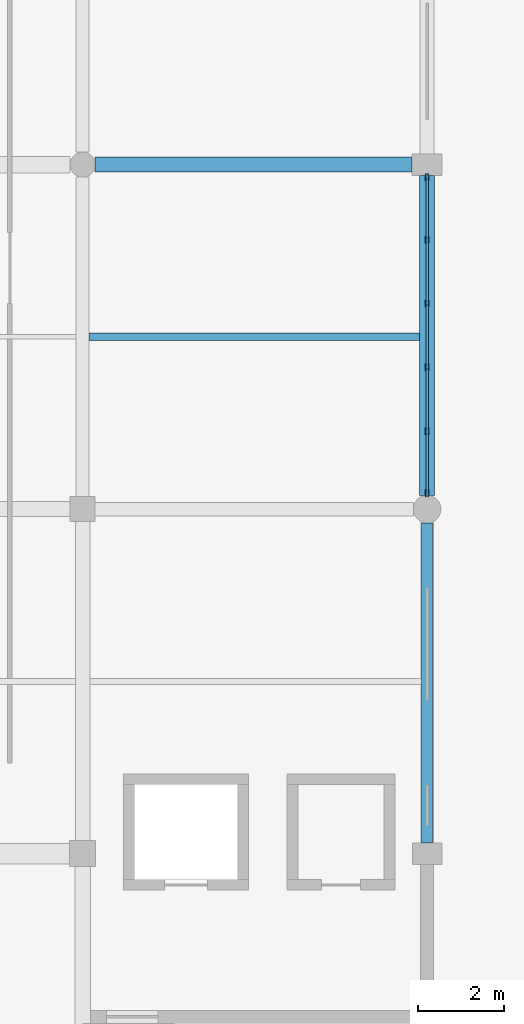
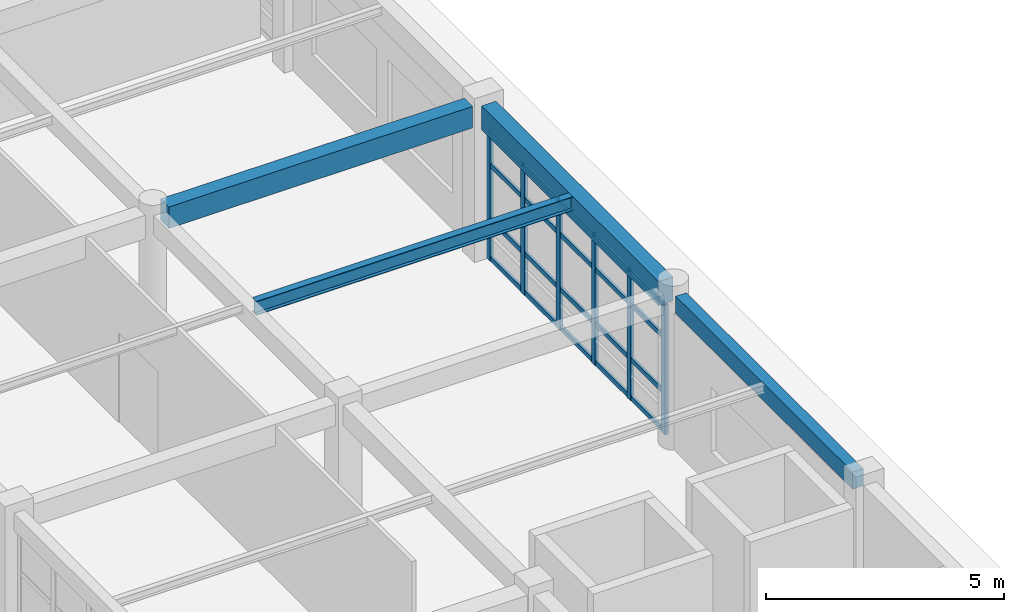
# One storey, part 32 of 121: 26 members, 4 beams, 1 element without a shape of its own.
"""IFC4 building model written with IfcOpenShell, lengths in metres."""

from ifc_helpers import new_model, si_unit, direction, frame, origin, origin_2d, place, context, subcontext, project, spatial, rectangle, hollow_rectangle, i_section, extrude, material, material_profile, profile_set, type_object, element, aggregate, save


model = new_model("IFC4")

# Units and contexts
model_context = context("Model", 3, precision=1e-05, world=origin(), true_north=direction((0.0, 1.0)))
body_context = subcontext(model_context, "Body", "Model", "MODEL_VIEW")
ifc_project = project(units=[si_unit("LENGTHUNIT", "METRE"), si_unit("AREAUNIT", "SQUARE_METRE"), si_unit("VOLUMEUNIT", "CUBIC_METRE"), si_unit("PLANEANGLEUNIT", "RADIAN"), si_unit("MASSUNIT", "GRAM", prefix="KILO")], contexts=[model_context])

# Site, building, storey
site_placement = place(None, origin())
site = spatial("IfcSite", under=ifc_project, at=site_placement, CompositionType="ELEMENT")
building_placement = place(site_placement, origin())
building = spatial("IfcBuilding", under=site, at=building_placement, Name="Kharva Crest Polytechnic", CompositionType="ELEMENT")
storey_placement = place(building_placement, frame((0.0, 0.0, 13.199951171875)))
storey = spatial("IfcBuildingStorey", under=building, at=storey_placement, Name="L03", CompositionType="ELEMENT", Elevation=13.199951171875)

# Beams
ifc_material_1 = material(Name="Concrete C35/45", Category="concrete")
ifc_material_profile_1 = material_profile(ifc_material_1, rectangle(XDim=0.35009765625, YDim=0.550048828125, at=origin_2d()), Name="RECT 350 X 550")
ifc_profile_set_1 = profile_set([ifc_material_profile_1], Name="Concrete C35/45")
beam_type_1 = type_object("IfcBeamType", Name="BM-RC-350X550", PredefinedType="BEAM", material=ifc_profile_set_1)
beam_1_placement = place(storey_placement, frame((40.2900390625, 62.800048828125, 3.68505859375), z_axis=(1.0, 0.0, 0.0), x_axis=(0.0, 1.0, 0.0)))
element("IfcBeam", 1, at=beam_1_placement, inside=storey, type_object=beam_type_1, Name="L03 Beam J/6-7", PredefinedType="BEAM", context=body_context, shape_type="SweptSolid", body=[
    extrude(rectangle(XDim=0.35009765625, YDim=0.550048828125, at=origin_2d()), origin(), (0.0, 0.0, 1.0), 7.35986328125),
])
ifc_material_2 = material(Name="Steel S355", Category="steel")
ifc_material_profile_2 = material_profile(ifc_material_2, i_section(OverallWidth=0.172119140625, OverallDepth=0.35791015625, WebThickness=0.0078125, FlangeThickness=0.01318359375, at=origin_2d()), Name="W360X57.8")
ifc_profile_set_2 = profile_set([ifc_material_profile_2], Name="Steel S355")
beam_type_2 = type_object("IfcBeamType", Name="BM-STL-W360X57", PredefinedType="JOIST", material=ifc_profile_set_2)
beam_2_placement = place(storey_placement, frame((40.14990234375, 58.800048828125, 3.781005859375), z_axis=(1.0, 0.0, 0.0), x_axis=(0.0, 1.0, 0.0)))
element("IfcBeam", 2, at=beam_2_placement, inside=storey, type_object=beam_type_2, Name="L03 Floor Joist 4", PredefinedType="JOIST", context=body_context, shape_type="SweptSolid", body=[
    extrude(i_section(OverallWidth=0.172119140625, OverallDepth=0.35791015625, WebThickness=0.0078125, FlangeThickness=0.01318359375, at=origin_2d()), origin(), (0.0, 0.0, 1.0), 7.675048828125),
])

# Curtain wall, members
ifc_material_3 = material(Name="Tempered insulated glass", Category="glass")
curtain_wall_type = type_object("IfcCurtainWallType", Name="CW-SYS-COURT", PredefinedType="USERDEFINED", material=ifc_material_3)
curtain_wall_placement = place(storey_placement, origin())
curtain_wall = element("IfcCurtainWall", 3, at=curtain_wall_placement, inside=storey, type_object=curtain_wall_type, Name="L03 Glazed Curtain Wall CW-169", ObjectType="CURTAIN WALL", PredefinedType="USERDEFINED")
ifc_material_profile_3 = material_profile(ifc_material_2, hollow_rectangle(XDim=0.080078125, YDim=0.159912109375, WallThickness=0.0048828125, at=origin_2d()), Name="RHS 160X80X5.0")
ifc_profile_set_3 = profile_set([ifc_material_profile_3], Name="Steel S355")
member_type_1 = type_object("IfcMemberType", Name="CWM-RHS160X80", PredefinedType="MULLION", material=ifc_profile_set_3)
member_1_placement = place(storey_placement, frame((48.0, 55.1650390625, 0.0), z_axis=(0.0, 0.0, 1.0), x_axis=(-1.0, 0.0, 0.0)))
member_1 = element("IfcMember", 4, at=member_1_placement, type_object=member_type_1, Name="CW-169 mullion 1", PredefinedType="MULLION", context=body_context, shape_type="SweptSolid", body=[
    extrude(hollow_rectangle(XDim=0.080078125, YDim=0.159912109375, WallThickness=0.0048828125, at=origin_2d()), origin(), (0.0, 0.0, 1.0), 3.340087890625),
])
member_2_placement = place(storey_placement, frame((48.0, 56.60888671875, 0.0), z_axis=(0.0, 0.0, 1.0), x_axis=(-1.0, 0.0, 0.0)))
member_2 = element("IfcMember", 5, at=member_2_placement, type_object=member_type_1, Name="CW-169 mullion 2", PredefinedType="MULLION", context=body_context, shape_type="SweptSolid", body=[
    extrude(hollow_rectangle(XDim=0.080078125, YDim=0.159912109375, WallThickness=0.0048828125, at=origin_2d()), origin(), (0.0, 0.0, 1.0), 3.340087890625),
])
member_3_placement = place(storey_placement, frame((48.0, 58.093017578125, 0.0), z_axis=(0.0, 0.0, 1.0), x_axis=(-1.0, 0.0, 0.0)))
member_3 = element("IfcMember", 6, at=member_3_placement, type_object=member_type_1, Name="CW-169 mullion 3", PredefinedType="MULLION", context=body_context, shape_type="SweptSolid", body=[
    extrude(hollow_rectangle(XDim=0.080078125, YDim=0.159912109375, WallThickness=0.0048828125, at=origin_2d()), origin(), (0.0, 0.0, 1.0), 3.340087890625),
])
member_4_placement = place(storey_placement, frame((48.0, 59.576904296875, 0.0), z_axis=(0.0, 0.0, 1.0), x_axis=(-1.0, 0.0, 0.0)))
member_4 = element("IfcMember", 7, at=member_4_placement, type_object=member_type_1, Name="CW-169 mullion 4", PredefinedType="MULLION", context=body_context, shape_type="SweptSolid", body=[
    extrude(hollow_rectangle(XDim=0.080078125, YDim=0.159912109375, WallThickness=0.0048828125, at=origin_2d()), origin(), (0.0, 0.0, 1.0), 3.340087890625),
])
member_5_placement = place(storey_placement, frame((48.0, 61.06103515625, 0.0), z_axis=(0.0, 0.0, 1.0), x_axis=(-1.0, 0.0, 0.0)))
member_5 = element("IfcMember", 8, at=member_5_placement, type_object=member_type_1, Name="CW-169 mullion 5", PredefinedType="MULLION", context=body_context, shape_type="SweptSolid", body=[
    extrude(hollow_rectangle(XDim=0.080078125, YDim=0.159912109375, WallThickness=0.0048828125, at=origin_2d()), origin(), (0.0, 0.0, 1.0), 3.340087890625),
])
member_6_placement = place(storey_placement, frame((48.0, 62.5048828125, 0.0), z_axis=(0.0, 0.0, 1.0), x_axis=(-1.0, 0.0, 0.0)))
member_6 = element("IfcMember", 9, at=member_6_placement, type_object=member_type_1, Name="CW-169 mullion 6", PredefinedType="MULLION", context=body_context, shape_type="SweptSolid", body=[
    extrude(hollow_rectangle(XDim=0.080078125, YDim=0.159912109375, WallThickness=0.0048828125, at=origin_2d()), origin(), (0.0, 0.0, 1.0), 3.340087890625),
])
ifc_material_profile_4 = material_profile(ifc_material_2, hollow_rectangle(XDim=0.06005859375, YDim=0.1201171875, WallThickness=0.00390625, at=origin_2d()), Name="RHS 120X60X4.0")
ifc_profile_set_4 = profile_set([ifc_material_profile_4], Name="Steel S355")
member_type_2 = type_object("IfcMemberType", Name="CWT-RHS120X60", PredefinedType="USERDEFINED", material=ifc_profile_set_4)
member_7_placement = place(storey_placement, frame((48.0, 55.205078125, 0.06005859375), z_axis=(0.0, 1.0, 0.0), x_axis=(-1.0, 0.0, 0.0)))
member_7 = element("IfcMember", 10, at=member_7_placement, type_object=member_type_2, Name="CW-169 transom 1.1", ObjectType="TRANSOM", PredefinedType="USERDEFINED", context=body_context, shape_type="SweptSolid", body=[
    extrude(hollow_rectangle(XDim=0.06005859375, YDim=0.1201171875, WallThickness=0.00390625, at=origin_2d()), origin(), (0.0, 0.0, 1.0), 1.364013671875),
])
member_8_placement = place(storey_placement, frame((48.0, 55.205078125, 1.050048828125), z_axis=(0.0, 1.0, 0.0), x_axis=(-1.0, 0.0, 0.0)))
member_8 = element("IfcMember", 11, at=member_8_placement, type_object=member_type_2, Name="CW-169 transom 1.2", ObjectType="TRANSOM", PredefinedType="USERDEFINED", context=body_context, shape_type="SweptSolid", body=[
    extrude(hollow_rectangle(XDim=0.06005859375, YDim=0.1201171875, WallThickness=0.00390625, at=origin_2d()), origin(), (0.0, 0.0, 1.0), 1.364013671875),
])
member_9_placement = place(storey_placement, frame((48.0, 55.205078125, 2.449951171875), z_axis=(0.0, 1.0, 0.0), x_axis=(-1.0, 0.0, 0.0)))
member_9 = element("IfcMember", 12, at=member_9_placement, type_object=member_type_2, Name="CW-169 transom 1.3", ObjectType="TRANSOM", PredefinedType="USERDEFINED", context=body_context, shape_type="SweptSolid", body=[
    extrude(hollow_rectangle(XDim=0.06005859375, YDim=0.1201171875, WallThickness=0.00390625, at=origin_2d()), origin(), (0.0, 0.0, 1.0), 1.364013671875),
])
member_10_placement = place(storey_placement, frame((48.0, 55.205078125, 3.280029296875), z_axis=(0.0, 1.0, 0.0), x_axis=(-1.0, 0.0, 0.0)))
member_10 = element("IfcMember", 13, at=member_10_placement, type_object=member_type_2, Name="CW-169 transom 1.4", ObjectType="TRANSOM", PredefinedType="USERDEFINED", context=body_context, shape_type="SweptSolid", body=[
    extrude(hollow_rectangle(XDim=0.06005859375, YDim=0.1201171875, WallThickness=0.00390625, at=origin_2d()), origin(), (0.0, 0.0, 1.0), 1.364013671875),
])
member_11_placement = place(storey_placement, frame((48.0, 56.64892578125, 0.06005859375), z_axis=(0.0, 1.0, 0.0), x_axis=(-1.0, 0.0, 0.0)))
member_11 = element("IfcMember", 14, at=member_11_placement, type_object=member_type_2, Name="CW-169 transom 2.1", ObjectType="TRANSOM", PredefinedType="USERDEFINED", context=body_context, shape_type="SweptSolid", body=[
    extrude(hollow_rectangle(XDim=0.06005859375, YDim=0.1201171875, WallThickness=0.00390625, at=origin_2d()), origin(), (0.0, 0.0, 1.0), 1.404052734375),
])
member_12_placement = place(storey_placement, frame((48.0, 56.64892578125, 1.050048828125), z_axis=(0.0, 1.0, 0.0), x_axis=(-1.0, 0.0, 0.0)))
member_12 = element("IfcMember", 15, at=member_12_placement, type_object=member_type_2, Name="CW-169 transom 2.2", ObjectType="TRANSOM", PredefinedType="USERDEFINED", context=body_context, shape_type="SweptSolid", body=[
    extrude(hollow_rectangle(XDim=0.06005859375, YDim=0.1201171875, WallThickness=0.00390625, at=origin_2d()), origin(), (0.0, 0.0, 1.0), 1.404052734375),
])
member_13_placement = place(storey_placement, frame((48.0, 56.64892578125, 2.449951171875), z_axis=(0.0, 1.0, 0.0), x_axis=(-1.0, 0.0, 0.0)))
member_13 = element("IfcMember", 16, at=member_13_placement, type_object=member_type_2, Name="CW-169 transom 2.3", ObjectType="TRANSOM", PredefinedType="USERDEFINED", context=body_context, shape_type="SweptSolid", body=[
    extrude(hollow_rectangle(XDim=0.06005859375, YDim=0.1201171875, WallThickness=0.00390625, at=origin_2d()), origin(), (0.0, 0.0, 1.0), 1.404052734375),
])
member_14_placement = place(storey_placement, frame((48.0, 56.64892578125, 3.280029296875), z_axis=(0.0, 1.0, 0.0), x_axis=(-1.0, 0.0, 0.0)))
member_14 = element("IfcMember", 17, at=member_14_placement, type_object=member_type_2, Name="CW-169 transom 2.4", ObjectType="TRANSOM", PredefinedType="USERDEFINED", context=body_context, shape_type="SweptSolid", body=[
    extrude(hollow_rectangle(XDim=0.06005859375, YDim=0.1201171875, WallThickness=0.00390625, at=origin_2d()), origin(), (0.0, 0.0, 1.0), 1.404052734375),
])
member_15_placement = place(storey_placement, frame((48.0, 58.133056640625, 0.06005859375), z_axis=(0.0, 1.0, 0.0), x_axis=(-1.0, 0.0, 0.0)))
member_15 = element("IfcMember", 18, at=member_15_placement, type_object=member_type_2, Name="CW-169 transom 3.1", ObjectType="TRANSOM", PredefinedType="USERDEFINED", context=body_context, shape_type="SweptSolid", body=[
    extrude(hollow_rectangle(XDim=0.06005859375, YDim=0.1201171875, WallThickness=0.00390625, at=origin_2d()), origin(), (0.0, 0.0, 1.0), 1.404052734375),
])
member_16_placement = place(storey_placement, frame((48.0, 58.133056640625, 1.050048828125), z_axis=(0.0, 1.0, 0.0), x_axis=(-1.0, 0.0, 0.0)))
member_16 = element("IfcMember", 19, at=member_16_placement, type_object=member_type_2, Name="CW-169 transom 3.2", ObjectType="TRANSOM", PredefinedType="USERDEFINED", context=body_context, shape_type="SweptSolid", body=[
    extrude(hollow_rectangle(XDim=0.06005859375, YDim=0.1201171875, WallThickness=0.00390625, at=origin_2d()), origin(), (0.0, 0.0, 1.0), 1.404052734375),
])
member_17_placement = place(storey_placement, frame((48.0, 58.133056640625, 2.449951171875), z_axis=(0.0, 1.0, 0.0), x_axis=(-1.0, 0.0, 0.0)))
member_17 = element("IfcMember", 20, at=member_17_placement, type_object=member_type_2, Name="CW-169 transom 3.3", ObjectType="TRANSOM", PredefinedType="USERDEFINED", context=body_context, shape_type="SweptSolid", body=[
    extrude(hollow_rectangle(XDim=0.06005859375, YDim=0.1201171875, WallThickness=0.00390625, at=origin_2d()), origin(), (0.0, 0.0, 1.0), 1.404052734375),
])
member_18_placement = place(storey_placement, frame((48.0, 58.133056640625, 3.280029296875), z_axis=(0.0, 1.0, 0.0), x_axis=(-1.0, 0.0, 0.0)))
member_18 = element("IfcMember", 21, at=member_18_placement, type_object=member_type_2, Name="CW-169 transom 3.4", ObjectType="TRANSOM", PredefinedType="USERDEFINED", context=body_context, shape_type="SweptSolid", body=[
    extrude(hollow_rectangle(XDim=0.06005859375, YDim=0.1201171875, WallThickness=0.00390625, at=origin_2d()), origin(), (0.0, 0.0, 1.0), 1.404052734375),
])
member_19_placement = place(storey_placement, frame((48.0, 59.616943359375, 0.06005859375), z_axis=(0.0, 1.0, 0.0), x_axis=(-1.0, 0.0, 0.0)))
member_19 = element("IfcMember", 22, at=member_19_placement, type_object=member_type_2, Name="CW-169 transom 4.1", ObjectType="TRANSOM", PredefinedType="USERDEFINED", context=body_context, shape_type="SweptSolid", body=[
    extrude(hollow_rectangle(XDim=0.06005859375, YDim=0.1201171875, WallThickness=0.00390625, at=origin_2d()), origin(), (0.0, 0.0, 1.0), 1.404052734375),
])
member_20_placement = place(storey_placement, frame((48.0, 59.616943359375, 1.050048828125), z_axis=(0.0, 1.0, 0.0), x_axis=(-1.0, 0.0, 0.0)))
member_20 = element("IfcMember", 23, at=member_20_placement, type_object=member_type_2, Name="CW-169 transom 4.2", ObjectType="TRANSOM", PredefinedType="USERDEFINED", context=body_context, shape_type="SweptSolid", body=[
    extrude(hollow_rectangle(XDim=0.06005859375, YDim=0.1201171875, WallThickness=0.00390625, at=origin_2d()), origin(), (0.0, 0.0, 1.0), 1.404052734375),
])
member_21_placement = place(storey_placement, frame((48.0, 59.616943359375, 2.449951171875), z_axis=(0.0, 1.0, 0.0), x_axis=(-1.0, 0.0, 0.0)))
member_21 = element("IfcMember", 24, at=member_21_placement, type_object=member_type_2, Name="CW-169 transom 4.3", ObjectType="TRANSOM", PredefinedType="USERDEFINED", context=body_context, shape_type="SweptSolid", body=[
    extrude(hollow_rectangle(XDim=0.06005859375, YDim=0.1201171875, WallThickness=0.00390625, at=origin_2d()), origin(), (0.0, 0.0, 1.0), 1.404052734375),
])
member_22_placement = place(storey_placement, frame((48.0, 59.616943359375, 3.280029296875), z_axis=(0.0, 1.0, 0.0), x_axis=(-1.0, 0.0, 0.0)))
member_22 = element("IfcMember", 25, at=member_22_placement, type_object=member_type_2, Name="CW-169 transom 4.4", ObjectType="TRANSOM", PredefinedType="USERDEFINED", context=body_context, shape_type="SweptSolid", body=[
    extrude(hollow_rectangle(XDim=0.06005859375, YDim=0.1201171875, WallThickness=0.00390625, at=origin_2d()), origin(), (0.0, 0.0, 1.0), 1.404052734375),
])
member_23_placement = place(storey_placement, frame((48.0, 61.10107421875, 0.06005859375), z_axis=(0.0, 1.0, 0.0), x_axis=(-1.0, 0.0, 0.0)))
member_23 = element("IfcMember", 26, at=member_23_placement, type_object=member_type_2, Name="CW-169 transom 5.1", ObjectType="TRANSOM", PredefinedType="USERDEFINED", context=body_context, shape_type="SweptSolid", body=[
    extrude(hollow_rectangle(XDim=0.06005859375, YDim=0.1201171875, WallThickness=0.00390625, at=origin_2d()), origin(), (0.0, 0.0, 1.0), 1.364013671875),
])
member_24_placement = place(storey_placement, frame((48.0, 61.10107421875, 1.050048828125), z_axis=(0.0, 1.0, 0.0), x_axis=(-1.0, 0.0, 0.0)))
member_24 = element("IfcMember", 27, at=member_24_placement, type_object=member_type_2, Name="CW-169 transom 5.2", ObjectType="TRANSOM", PredefinedType="USERDEFINED", context=body_context, shape_type="SweptSolid", body=[
    extrude(hollow_rectangle(XDim=0.06005859375, YDim=0.1201171875, WallThickness=0.00390625, at=origin_2d()), origin(), (0.0, 0.0, 1.0), 1.364013671875),
])
member_25_placement = place(storey_placement, frame((48.0, 61.10107421875, 2.449951171875), z_axis=(0.0, 1.0, 0.0), x_axis=(-1.0, 0.0, 0.0)))
member_25 = element("IfcMember", 28, at=member_25_placement, type_object=member_type_2, Name="CW-169 transom 5.3", ObjectType="TRANSOM", PredefinedType="USERDEFINED", context=body_context, shape_type="SweptSolid", body=[
    extrude(hollow_rectangle(XDim=0.06005859375, YDim=0.1201171875, WallThickness=0.00390625, at=origin_2d()), origin(), (0.0, 0.0, 1.0), 1.364013671875),
])
member_26_placement = place(storey_placement, frame((48.0, 61.10107421875, 3.280029296875), z_axis=(0.0, 1.0, 0.0), x_axis=(-1.0, 0.0, 0.0)))
member_26 = element("IfcMember", 29, at=member_26_placement, type_object=member_type_2, Name="CW-169 transom 5.4", ObjectType="TRANSOM", PredefinedType="USERDEFINED", context=body_context, shape_type="SweptSolid", body=[
    extrude(hollow_rectangle(XDim=0.06005859375, YDim=0.1201171875, WallThickness=0.00390625, at=origin_2d()), origin(), (0.0, 0.0, 1.0), 1.364013671875),
])
aggregate(curtain_wall, [member_1, member_2, member_3, member_4, member_5, member_6, member_7, member_8, member_9, member_10, member_11, member_12, member_13, member_14, member_15, member_16, member_17, member_18, member_19, member_20, member_21, member_22, member_23, member_24, member_25, member_26])

# Beams
ifc_material_profile_5 = material_profile(ifc_material_1, rectangle(XDim=0.260009765625, YDim=0.43994140625, at=origin_2d()), Name="RECT 260 X 440")
ifc_profile_set_5 = profile_set([ifc_material_profile_5], Name="Concrete C35/45")
beam_type_3 = type_object("IfcBeamType", Name="SP-RC-260X440", PredefinedType="SPANDREL", material=ifc_profile_set_5)
beam_3_placement = place(storey_placement, frame((48.0, 47.050048828125, 3.739990234375), z_axis=(0.0, 1.0, 0.0), x_axis=(-1.0, 0.0, 0.0)))
element("IfcBeam", 30, at=beam_3_placement, inside=storey, type_object=beam_type_3, Name="L03 Girder 7/G-H", PredefinedType="SPANDREL", context=body_context, shape_type="SweptSolid", body=[
    extrude(rectangle(XDim=0.260009765625, YDim=0.43994140625, at=origin_2d()), origin(), (0.0, 0.0, 1.0), 7.429931640625),
])
ifc_material_profile_6 = material_profile(ifc_material_1, rectangle(XDim=0.35009765625, YDim=0.6201171875, at=origin_2d()), Name="RECT 350 X 620")
ifc_profile_set_6 = profile_set([ifc_material_profile_6], Name="Concrete C35/45")
beam_type_4 = type_object("IfcBeamType", Name="SP-RC-350X620", PredefinedType="SPANDREL", material=ifc_profile_set_6)
beam_4_placement = place(storey_placement, frame((48.0, 55.1201171875, 3.650146484375), z_axis=(0.0, 1.0, 0.0), x_axis=(-1.0, 0.0, 0.0)))
element("IfcBeam", 31, at=beam_4_placement, inside=storey, type_object=beam_type_4, Name="L03 Girder 7/H-J", PredefinedType="SPANDREL", context=body_context, shape_type="SweptSolid", body=[
    extrude(rectangle(XDim=0.35009765625, YDim=0.6201171875, at=origin_2d()), origin(), (0.0, 0.0, 1.0), 7.429931640625),
])

save(model, "model.ifc")
